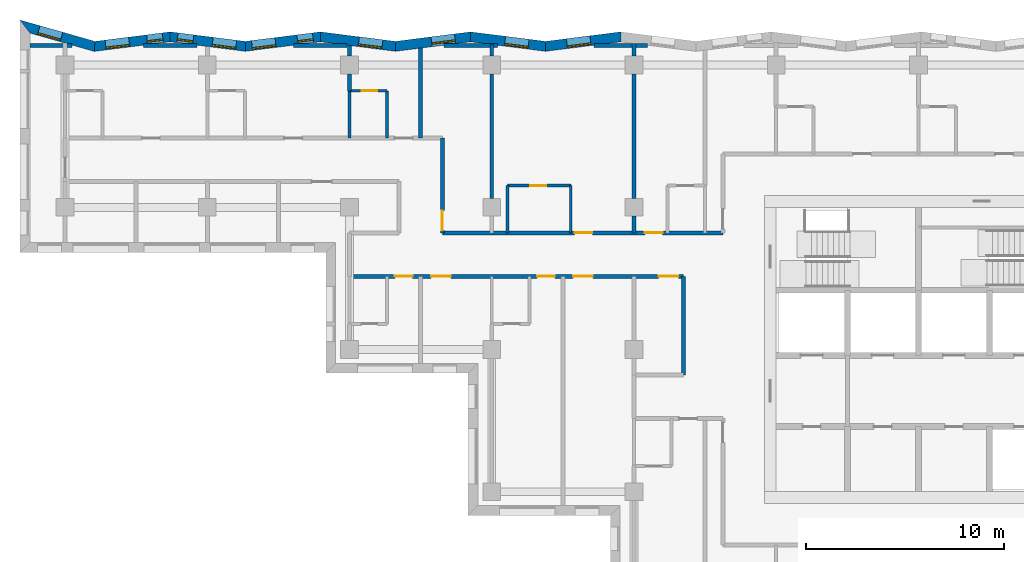
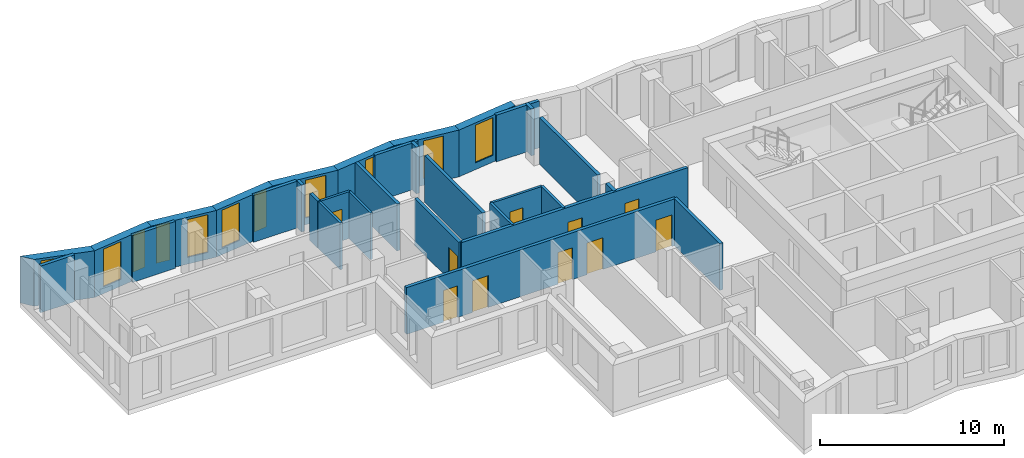
# One storey, part 5 of 12: 31 walls, 11 windows, 10 doors, 21 openings.
"""IFC4 building model written with IfcOpenShell, lengths in metres."""

import ifcopenshell
import ifcopenshell.guid

model = None  # the IFC model being written
_history = None  # IfcOwnerHistory: only IFC2X3 demands one
_inside = {}  # id of a spatial element -> (the spatial element, [elements in it])
_under = {}  # id of a project, library or spatial element -> (it, [spatial elements below it])
_declared = {}  # id of a project -> (the project, [libraries it declares])
_typed = {}  # id of a type object -> (the type object, [elements of that type])
_made_of = {}  # id of a material, layer set ... -> (it, [elements and type objects made of it])


def new_model(schema):
    """Start an empty IFC model of exactly this schema.

    Asked for "IFC4X3", IfcOpenShell would pick the latest addendum, in which some entities
    have other attributes; the version numbers below select the first issue.
    IFC2X3 requires an IfcOwnerHistory on every rooted entity: one is made here for all.
    """
    global model, _history
    if schema == "IFC4X3":
        model = ifcopenshell.file(schema_version=(4, 3, 0, 0))
    else:
        model = ifcopenshell.file(schema=schema)
    _inside.clear()
    _under.clear()
    _declared.clear()
    _typed.clear()
    _made_of.clear()
    _history = None
    if model.schema == "IFC2X3":
        org = make("IfcOrganization", Name="unknown")
        user = make(
            "IfcPersonAndOrganization",
            ThePerson=make("IfcPerson", FamilyName="unknown"),
            TheOrganization=org,
        )
        app = make(
            "IfcApplication",
            ApplicationDeveloper=org,
            Version="unknown",
            ApplicationFullName="unknown",
            ApplicationIdentifier="unknown",
        )
        _history = make(
            "IfcOwnerHistory",
            OwningUser=user,
            OwningApplication=app,
            ChangeAction="ADDED",
            CreationDate=0,
        )
    return model


def make(cls, **values):
    """One entity of the class cls with the attributes given. An attribute that is None is left unset."""
    return model.create_entity(
        cls, **{name: value for name, value in values.items() if value is not None}
    )


def rooted(cls, **values):
    """An entity with a GlobalId (a new one), such as an element, a storey or a relation."""
    return make(cls, GlobalId=ifcopenshell.guid.new(), OwnerHistory=_history, **values)


def si_unit(unit_type, name, prefix=None):
    """IfcSIUnit, for example si_unit("LENGTHUNIT", "METRE", prefix="MILLI")."""
    return make("IfcSIUnit", UnitType=unit_type, Prefix=prefix, Name=name)


def assignment(units):
    """IfcUnitAssignment: the units of a project."""
    return None if units is None else make("IfcUnitAssignment", Units=units)


def point(xyz):
    """IfcCartesianPoint."""
    return None if xyz is None else make("IfcCartesianPoint", Coordinates=xyz)


def direction(xyz):
    """IfcDirection."""
    return None if xyz is None else make("IfcDirection", DirectionRatios=xyz)


def frame(location, z_axis=None, x_axis=None):
    """IfcAxis2Placement3D, a coordinate frame: its origin and axes. An axis left out is left unset."""
    return make(
        "IfcAxis2Placement3D",
        Location=point(location),
        Axis=direction(z_axis),
        RefDirection=direction(x_axis),
    )


def frame_2d(location, x_axis=None):
    """IfcAxis2Placement2D, a coordinate frame in the plane: its origin and x axis."""
    return make(
        "IfcAxis2Placement2D", Location=point(location), RefDirection=direction(x_axis)
    )


def origin():
    """The frame at (0, 0, 0) with its axes left unset."""
    return frame((0.0, 0.0, 0.0))


def place(relative_to, where):
    """IfcLocalPlacement: puts the frame where relative to a parent placement (None: the world)."""
    return make(
        "IfcLocalPlacement", PlacementRelTo=relative_to, RelativePlacement=where
    )


def context(
    kind, dimensions, precision=None, world=None, true_north=None, identifier=None
):
    """IfcGeometricRepresentationContext, for example the 3D "Model" context."""
    return make(
        "IfcGeometricRepresentationContext",
        ContextIdentifier=identifier,
        ContextType=kind,
        CoordinateSpaceDimension=dimensions,
        Precision=precision,
        WorldCoordinateSystem=world,
        TrueNorth=true_north,
    )


def subcontext(parent, identifier, kind, view, scale=None):
    """IfcGeometricRepresentationSubContext, for example "Body" below "Model"."""
    return make(
        "IfcGeometricRepresentationSubContext",
        ContextIdentifier=identifier,
        ContextType=kind,
        ParentContext=parent,
        TargetScale=scale,
        TargetView=view,
    )


def project(units=None, contexts=None):
    """IfcProject with its units and contexts."""
    return rooted(
        "IfcProject",
        Name="project",
        RepresentationContexts=contexts,
        UnitsInContext=assignment(units),
    )


def spatial(cls, under=None, at=None, **own):
    """A site, building, storey or space (cls), placed at a placement, below another one or the project."""
    s = rooted(cls, ObjectPlacement=at, **own)
    if under is not None:
        _under.setdefault(under.id(), (under, []))[1].append(s)
    return s


def polyline(points):
    """IfcPolyline through the points."""
    return make("IfcPolyline", Points=[point(p) for p in points])


def profile(cls, at=None, kind="AREA", **sizes):
    """A parametric profile (cls). Its sizes go by their IFC names, for example OverallWidth=200.0."""
    return make(cls, ProfileType=kind, Position=at, **sizes)


def rectangle(**sizes):
    """IfcRectangleProfileDef."""
    return profile("IfcRectangleProfileDef", **sizes)


def outline(outer, holes=None, kind="AREA"):
    """IfcArbitraryClosedProfileDef: a profile drawn as a closed curve; with holes, ...WithVoids."""
    if holes is None:
        return make("IfcArbitraryClosedProfileDef", ProfileType=kind, OuterCurve=outer)
    return make(
        "IfcArbitraryProfileDefWithVoids",
        ProfileType=kind,
        OuterCurve=outer,
        InnerCurves=holes,
    )


def extrude(swept, where, along, depth):
    """IfcExtrudedAreaSolid: the profile swept, set in the frame where, extruded along a direction by depth."""
    return make(
        "IfcExtrudedAreaSolid",
        SweptArea=swept,
        Position=where,
        ExtrudedDirection=direction(along),
        Depth=depth,
    )


def shape(context_of_items, identifier, shape_type, items):
    """IfcShapeRepresentation: the items that make up one representation, for example the "Body"."""
    return make(
        "IfcShapeRepresentation",
        ContextOfItems=context_of_items,
        RepresentationIdentifier=identifier,
        RepresentationType=shape_type,
        Items=items,
    )


def material(Name=None, Category=None):
    """IfcMaterial."""
    return make("IfcMaterial", Name=Name, Category=Category)


def layer(
    of_material, thickness, ventilated=None, Name=None, Category=None, Priority=None
):
    """IfcMaterialLayer: one layer of a wall or slab, of a material (None: an air gap)."""
    return make(
        "IfcMaterialLayer",
        Material=of_material,
        LayerThickness=thickness,
        IsVentilated=ventilated,
        Name=Name,
        Category=Category,
        Priority=Priority,
    )


def layer_set(layers, Name=None):
    """IfcMaterialLayerSet."""
    return make("IfcMaterialLayerSet", MaterialLayers=layers, LayerSetName=Name)


def made_of(thing, what):
    """Note that an element or type object is made of a material, layer set ...; save() writes the relation."""
    if what is not None:
        _made_of.setdefault(what.id(), (what, []))[1].append(thing)
    return thing


def type_object(cls, material=None, **own):
    """A type object (cls), such as IfcWallType, which elements share."""
    return made_of(rooted(cls, **own), material)


def element(
    cls,
    number,
    at=None,
    inside=None,
    cuts=None,
    type_object=None,
    material=None,
    context=None,
    identifier="Body",
    shape_type=None,
    held_by="IfcProductDefinitionShape",
    body=None,
    shapes=None,
    **own,
):
    """One element of the class cls, such as IfcWall. Its Tag is "e" and its number.

    at: its placement. inside: the storey or other place that contains it. cuts: it is an
    opening in that element (IfcRelVoidsElement). A single representation is given by context,
    identifier, shape_type and body (its items); several are given by shapes. held_by: the class
    of the entity that holds the representations. save() writes the other relations.
    """
    e = rooted(cls, Tag="e%d" % number, ObjectPlacement=at, **own)
    if body is not None:
        shapes = [shape(context, identifier, shape_type, body)]
    if shapes is not None:
        e.Representation = make(held_by, Representations=shapes)
    if inside is not None:
        _inside.setdefault(inside.id(), (inside, []))[1].append(e)
    if cuts is not None:
        rooted(
            "IfcRelVoidsElement", RelatingBuildingElement=cuts, RelatedOpeningElement=e
        )
    if type_object is not None:
        _typed.setdefault(type_object.id(), (type_object, []))[1].append(e)
    return made_of(e, material)


def fill(opening, filler):
    """IfcRelFillsElement: the door or window that sits in an opening."""
    return rooted(
        "IfcRelFillsElement",
        RelatingOpeningElement=opening,
        RelatedBuildingElement=filler,
    )


def aggregate(whole, parts):
    """IfcRelAggregates: a whole, such as a stair, and the parts it consists of."""
    return rooted("IfcRelAggregates", RelatingObject=whole, RelatedObjects=parts)


def save(model, path):
    """Write the relations noted so far, then the file.

    IfcRelAggregates (storeys below a building ...), IfcRelContainedInSpatialStructure (elements
    in a storey), IfcRelDefinesByType, IfcRelAssociatesMaterial and IfcRelDeclares: one each for
    every whole, place, type object, material and project.
    """
    for whole, parts in _under.values():
        aggregate(whole, parts)
    for where, things in _inside.values():
        rooted(
            "IfcRelContainedInSpatialStructure",
            RelatedElements=things,
            RelatingStructure=where,
        )
    for kind, things in _typed.values():
        rooted("IfcRelDefinesByType", RelatedObjects=things, RelatingType=kind)
    for what, things in _made_of.values():
        rooted("IfcRelAssociatesMaterial", RelatedObjects=things, RelatingMaterial=what)
    for by, libraries in _declared.values():
        rooted("IfcRelDeclares", RelatingContext=by, RelatedDefinitions=libraries)
    model.write(path)


model = new_model("IFC4")

# Units and contexts
model_context = context("Model", 3, precision=1e-05, world=origin(), true_north=direction((0.0, 1.0)))
body_context = subcontext(model_context, "Body", "Model", "MODEL_VIEW")
ifc_project = project(units=[si_unit("LENGTHUNIT", "METRE"), si_unit("AREAUNIT", "SQUARE_METRE"), si_unit("VOLUMEUNIT", "CUBIC_METRE"), si_unit("PLANEANGLEUNIT", "RADIAN"), si_unit("MASSUNIT", "GRAM", prefix="KILO")], contexts=[model_context])

# Site, building, storey
site_placement = place(None, origin())
site = spatial("IfcSite", under=ifc_project, at=site_placement, CompositionType="ELEMENT")
building_placement = place(site_placement, origin())
building = spatial("IfcBuilding", under=site, at=building_placement, Name="Windrow Commons", CompositionType="ELEMENT")
storey_placement = place(building_placement, frame((0.0, 0.0, 155.8)))
storey = spatial("IfcBuildingStorey", under=building, at=storey_placement, Name="L42", CompositionType="ELEMENT", Elevation=155.8)

# Wall, opening, window
ifc_material_1 = material(Name="Brick masonry, red clay brick", Category="masonry")
ifc_layer_1 = layer(ifc_material_1, 0.5)
ifc_layer_set_1 = layer_set([ifc_layer_1], Name="Brick facade wall 500")
wall_type_1 = type_object("IfcWallType", Name="Brick facade wall 500", PredefinedType="SOLIDWALL", material=ifc_layer_set_1)
wall_1_placement = place(storey_placement, frame((49.7316, 73.43, 0.0), z_axis=(0.0, 0.0, 1.0), x_axis=(-0.9920583495, -0.1257785003, 0.0)))
wall_1 = element("IfcWall", 1, at=wall_1_placement, inside=storey, type_object=wall_type_1, Name="Brick facade wall L42 27", PredefinedType="SOLIDWALL", context=body_context, shape_type="SweptSolid", body=[
    extrude(outline(polyline([(-0.0317, -0.25), (3.8004, -0.25), (3.8638, 0.25), (0.0317, 0.25), (-0.0317, -0.25)])), origin(), (0.0, 0.0, 1.0), 3.1),
])
opening_1_placement = place(wall_1_placement, frame((1.5434, 0.0, 0.45)))
opening_1 = element("IfcOpeningElement", 2, at=opening_1_placement, cuts=wall_1, Name="Opening W7E", PredefinedType="OPENING", context=body_context, shape_type="SweptSolid", body=[
    extrude(rectangle(XDim=1.2, YDim=2.5, at=frame_2d((0.6, 1.25))), frame((0.0, 0.26, 0.0), z_axis=(0.0, -1.0, 0.0), x_axis=(1.0, 0.0, 0.0)), (0.0, 0.0, 1.0), 0.52),
])
ifc_material_2 = material(Name="Clear float glass in anodised aluminium frame", Category="aluminium")
window_type_1 = type_object("IfcWindowType", Name="Window W7 notch 1200x2500", PartitioningType="SINGLE_PANEL", PredefinedType="WINDOW", material=ifc_material_2)
window_1_placement = place(opening_1_placement, origin())
window_1 = element("IfcWindow", 3, at=window_1_placement, inside=storey, type_object=window_type_1, Name="Window L42 27.1", OverallHeight=2.5, OverallWidth=1.2, PartitioningType="SINGLE_PANEL", PredefinedType="WINDOW", context=body_context, shape_type="SweptSolid", body=[
    extrude(rectangle(XDim=1.2, YDim=2.5, at=frame_2d((0.6, 1.25))), frame((0.0, 0.18, 0.0), z_axis=(0.0, -1.0, 0.0), x_axis=(1.0, 0.0, 0.0)), (0.0, 0.0, 1.0), 0.06),
])
fill(opening_1, window_1)

wall_2_placement = place(storey_placement, frame((45.9299, 72.948, 0.0), z_axis=(0.0, 0.0, 1.0), x_axis=(-0.9920583495, 0.1257785003, 0.0)))
wall_2 = element("IfcWall", 4, at=wall_2_placement, inside=storey, type_object=wall_type_1, Name="Brick facade wall L42 28", PredefinedType="SOLIDWALL", context=body_context, shape_type="SweptSolid", body=[
    extrude(outline(polyline([(0.0317, -0.25), (3.8638, -0.25), (3.8004, 0.25), (-0.0317, 0.25), (0.0317, -0.25)])), origin(), (0.0, 0.0, 1.0), 3.1),
])
opening_2_placement = place(wall_2_placement, frame((0.8759, 0.0, 0.45)))
opening_2 = element("IfcOpeningElement", 5, at=opening_2_placement, cuts=wall_2, Name="Opening W7E", PredefinedType="OPENING", context=body_context, shape_type="SweptSolid", body=[
    extrude(rectangle(XDim=1.2, YDim=2.5, at=frame_2d((0.6, 1.25))), frame((0.0, 0.26, 0.0), z_axis=(0.0, -1.0, 0.0), x_axis=(1.0, 0.0, 0.0)), (0.0, 0.0, 1.0), 0.52),
])
window_2_placement = place(opening_2_placement, origin())
window_2 = element("IfcWindow", 6, at=window_2_placement, inside=storey, type_object=window_type_1, Name="Window L42 28.1", OverallHeight=2.5, OverallWidth=1.2, PartitioningType="SINGLE_PANEL", PredefinedType="WINDOW", context=body_context, shape_type="SweptSolid", body=[
    extrude(rectangle(XDim=1.2, YDim=2.5, at=frame_2d((0.6, 1.25))), frame((0.0, 0.18, 0.0), z_axis=(0.0, -1.0, 0.0), x_axis=(1.0, 0.0, 0.0)), (0.0, 0.0, 1.0), 0.06),
])
fill(opening_2, window_2)

wall_3_placement = place(storey_placement, frame((42.1282, 73.43, 0.0), z_axis=(0.0, 0.0, 1.0), x_axis=(-0.9920583495, -0.1257785003, 0.0)))
wall_3 = element("IfcWall", 7, at=wall_3_placement, inside=storey, type_object=wall_type_1, Name="Brick facade wall L42 29", PredefinedType="SOLIDWALL", context=body_context, shape_type="SweptSolid", body=[
    extrude(outline(polyline([(-0.0317, -0.25), (3.8004, -0.25), (3.8638, 0.25), (0.0317, 0.25), (-0.0317, -0.25)])), origin(), (0.0, 0.0, 1.0), 3.1),
])
opening_3_placement = place(wall_3_placement, frame((0.7901, 0.0, 0.45)))
opening_3 = element("IfcOpeningElement", 8, at=opening_3_placement, cuts=wall_3, Name="Opening W7E", PredefinedType="OPENING", context=body_context, shape_type="SweptSolid", body=[
    extrude(rectangle(XDim=1.2, YDim=2.5, at=frame_2d((0.6, 1.25))), frame((0.0, 0.26, 0.0), z_axis=(0.0, -1.0, 0.0), x_axis=(1.0, 0.0, 0.0)), (0.0, 0.0, 1.0), 0.52),
])
window_3_placement = place(opening_3_placement, origin())
window_3 = element("IfcWindow", 9, at=window_3_placement, inside=storey, type_object=window_type_1, Name="Window L42 29.1", OverallHeight=2.5, OverallWidth=1.2, PartitioningType="SINGLE_PANEL", PredefinedType="WINDOW", context=body_context, shape_type="SweptSolid", body=[
    extrude(rectangle(XDim=1.2, YDim=2.5, at=frame_2d((0.6, 1.25))), frame((0.0, 0.12, 0.0), z_axis=(0.0, -1.0, 0.0), x_axis=(1.0, 0.0, 0.0)), (0.0, 0.0, 1.0), 0.06),
])
fill(opening_3, window_3)

wall_4_placement = place(storey_placement, frame((38.3265, 72.948, 0.0), z_axis=(0.0, 0.0, 1.0), x_axis=(-0.9920583495, 0.1257785003, 0.0)))
wall_4 = element("IfcWall", 10, at=wall_4_placement, inside=storey, type_object=wall_type_1, Name="Brick facade wall L42 30", PredefinedType="SOLIDWALL", context=body_context, shape_type="SweptSolid", body=[
    extrude(outline(polyline([(0.0317, -0.25), (3.8638, -0.25), (3.8004, 0.25), (-0.0317, 0.25), (0.0317, -0.25)])), origin(), (0.0, 0.0, 1.0), 3.1),
])
opening_4_placement = place(wall_4_placement, frame((0.6726, 0.0, 0.45)))
opening_4 = element("IfcOpeningElement", 11, at=opening_4_placement, cuts=wall_4, Name="Opening W7E", PredefinedType="OPENING", context=body_context, shape_type="SweptSolid", body=[
    extrude(rectangle(XDim=1.2, YDim=2.5, at=frame_2d((0.6, 1.25))), frame((0.0, 0.26, 0.0), z_axis=(0.0, -1.0, 0.0), x_axis=(1.0, 0.0, 0.0)), (0.0, 0.0, 1.0), 0.52),
])
window_4_placement = place(opening_4_placement, origin())
window_4 = element("IfcWindow", 12, at=window_4_placement, inside=storey, type_object=window_type_1, Name="Window L42 30.1", OverallHeight=2.5, OverallWidth=1.2, PartitioningType="SINGLE_PANEL", PredefinedType="WINDOW", context=body_context, shape_type="SweptSolid", body=[
    extrude(rectangle(XDim=1.2, YDim=2.5, at=frame_2d((0.6, 1.25))), frame((0.0, 0.18, 0.0), z_axis=(0.0, -1.0, 0.0), x_axis=(1.0, 0.0, 0.0)), (0.0, 0.0, 1.0), 0.06),
])
fill(opening_4, window_4)

# Wall, openings, windows
wall_5_placement = place(storey_placement, frame((34.5248, 73.43, 0.0), z_axis=(0.0, 0.0, 1.0), x_axis=(-0.9920583495, -0.1257785003, 0.0)))
wall_5 = element("IfcWall", 13, at=wall_5_placement, inside=storey, type_object=wall_type_1, Name="Brick facade wall L42 31", PredefinedType="SOLIDWALL", context=body_context, shape_type="SweptSolid", body=[
    extrude(outline(polyline([(-0.0317, -0.25), (3.8004, -0.25), (3.8638, 0.25), (0.0317, 0.25), (-0.0317, -0.25)])), origin(), (0.0, 0.0, 1.0), 3.1),
])
opening_5_placement = place(wall_5_placement, frame((2.287, 0.0, 0.45)))
opening_5 = element("IfcOpeningElement", 14, at=opening_5_placement, cuts=wall_5, Name="Opening W7E", PredefinedType="OPENING", context=body_context, shape_type="SweptSolid", body=[
    extrude(rectangle(XDim=1.2, YDim=2.5, at=frame_2d((0.6, 1.25))), frame((0.0, 0.26, 0.0), z_axis=(0.0, -1.0, 0.0), x_axis=(1.0, 0.0, 0.0)), (0.0, 0.0, 1.0), 0.52),
])
opening_6_placement = place(wall_5_placement, frame((0.3735, 0.0, 0.45)))
opening_6 = element("IfcOpeningElement", 15, at=opening_6_placement, cuts=wall_5, Name="Opening W1N", PredefinedType="OPENING", context=body_context, shape_type="SweptSolid", body=[
    extrude(rectangle(XDim=0.8, YDim=2.5, at=frame_2d((0.4, 1.25))), frame((0.0, 0.26, 0.0), z_axis=(0.0, -1.0, 0.0), x_axis=(1.0, 0.0, 0.0)), (0.0, 0.0, 1.0), 0.52),
])
ifc_material_3 = material(Name="Clear float glass in anodised aluminium frame", Category="aluminium")
window_type_2 = type_object("IfcWindowType", Name="Window W1N slit 800x2500", PartitioningType="SINGLE_PANEL", PredefinedType="WINDOW", material=ifc_material_3)
window_5_placement = place(opening_6_placement, origin())
window_5 = element("IfcWindow", 16, at=window_5_placement, inside=storey, type_object=window_type_2, Name="Window L42 31.1A", OverallHeight=2.5, OverallWidth=0.8, PartitioningType="SINGLE_PANEL", PredefinedType="WINDOW", context=body_context, shape_type="SweptSolid", body=[
    extrude(rectangle(XDim=0.8, YDim=2.5, at=frame_2d((0.4, 1.25))), frame((0.0, 0.12, 0.0), z_axis=(0.0, -1.0, 0.0), x_axis=(1.0, 0.0, 0.0)), (0.0, 0.0, 1.0), 0.06),
])
fill(opening_6, window_5)
window_6_placement = place(opening_5_placement, origin())
window_6 = element("IfcWindow", 17, at=window_6_placement, inside=storey, type_object=window_type_1, Name="Window L42 31.2", OverallHeight=2.5, OverallWidth=1.2, PartitioningType="SINGLE_PANEL", PredefinedType="WINDOW", context=body_context, shape_type="SweptSolid", body=[
    extrude(rectangle(XDim=1.2, YDim=2.5, at=frame_2d((0.6, 1.25))), frame((0.0, 0.18, 0.0), z_axis=(0.0, -1.0, 0.0), x_axis=(1.0, 0.0, 0.0)), (0.0, 0.0, 1.0), 0.06),
])
fill(opening_5, window_6)

wall_6_placement = place(storey_placement, frame((30.7231, 72.948, 0.0), z_axis=(0.0, 0.0, 1.0), x_axis=(-0.9920583495, 0.1257785003, 0.0)))
wall_6 = element("IfcWall", 18, at=wall_6_placement, inside=storey, type_object=wall_type_1, Name="Brick facade wall L42 32", PredefinedType="SOLIDWALL", context=body_context, shape_type="SweptSolid", body=[
    extrude(outline(polyline([(0.0317, -0.25), (3.8638, -0.25), (3.8004, 0.25), (-0.0317, 0.25), (0.0317, -0.25)])), origin(), (0.0, 0.0, 1.0), 3.1),
])
opening_7_placement = place(wall_6_placement, frame((0.4693, 0.0, 0.45)))
opening_7 = element("IfcOpeningElement", 19, at=opening_7_placement, cuts=wall_6, Name="Opening W7E", PredefinedType="OPENING", context=body_context, shape_type="SweptSolid", body=[
    extrude(rectangle(XDim=1.2, YDim=2.5, at=frame_2d((0.6, 1.25))), frame((0.0, 0.26, 0.0), z_axis=(0.0, -1.0, 0.0), x_axis=(1.0, 0.0, 0.0)), (0.0, 0.0, 1.0), 0.52),
])
opening_8_placement = place(wall_6_placement, frame((2.6586, 0.0, 0.45)))
opening_8 = element("IfcOpeningElement", 20, at=opening_8_placement, cuts=wall_6, Name="Opening W1N", PredefinedType="OPENING", context=body_context, shape_type="SweptSolid", body=[
    extrude(rectangle(XDim=0.8, YDim=2.5, at=frame_2d((0.4, 1.25))), frame((0.0, 0.26, 0.0), z_axis=(0.0, -1.0, 0.0), x_axis=(1.0, 0.0, 0.0)), (0.0, 0.0, 1.0), 0.52),
])
window_7_placement = place(opening_8_placement, origin())
window_7 = element("IfcWindow", 21, at=window_7_placement, inside=storey, type_object=window_type_2, Name="Window L42 32.2A", OverallHeight=2.5, OverallWidth=0.8, PartitioningType="SINGLE_PANEL", PredefinedType="WINDOW", context=body_context, shape_type="SweptSolid", body=[
    extrude(rectangle(XDim=0.8, YDim=2.5, at=frame_2d((0.4, 1.25))), frame((0.0, 0.12, 0.0), z_axis=(0.0, -1.0, 0.0), x_axis=(1.0, 0.0, 0.0)), (0.0, 0.0, 1.0), 0.06),
])
fill(opening_8, window_7)
window_8_placement = place(opening_7_placement, origin())
window_8 = element("IfcWindow", 22, at=window_8_placement, inside=storey, type_object=window_type_1, Name="Window L42 32.1", OverallHeight=2.5, OverallWidth=1.2, PartitioningType="SINGLE_PANEL", PredefinedType="WINDOW", context=body_context, shape_type="SweptSolid", body=[
    extrude(rectangle(XDim=1.2, YDim=2.5, at=frame_2d((0.6, 1.25))), frame((0.0, 0.18, 0.0), z_axis=(0.0, -1.0, 0.0), x_axis=(1.0, 0.0, 0.0)), (0.0, 0.0, 1.0), 0.06),
])
fill(opening_7, window_8)

wall_7_placement = place(storey_placement, frame((26.9214, 73.43, 0.0), z_axis=(0.0, 0.0, 1.0), x_axis=(-0.9920598708, -0.1257665013, 0.0)))
wall_7 = element("IfcWall", 23, at=wall_7_placement, inside=storey, type_object=wall_type_1, Name="Brick facade wall L42 33", PredefinedType="SOLIDWALL", context=body_context, shape_type="SweptSolid", body=[
    extrude(outline(polyline([(-0.0317, -0.25), (3.8004, -0.25), (3.9027, 0.25), (0.0317, 0.25), (-0.0317, -0.25)])), origin(), (0.0, 0.0, 1.0), 3.1),
])
opening_9_placement = place(wall_7_placement, frame((2.0934, 0.0, 0.45)))
opening_9 = element("IfcOpeningElement", 24, at=opening_9_placement, cuts=wall_7, Name="Opening W7E", PredefinedType="OPENING", context=body_context, shape_type="SweptSolid", body=[
    extrude(rectangle(XDim=1.2, YDim=2.5, at=frame_2d((0.6, 1.25))), frame((0.0, 0.26, 0.0), z_axis=(0.0, -1.0, 0.0), x_axis=(1.0, 0.0, 0.0)), (0.0, 0.0, 1.0), 0.52),
])
opening_10_placement = place(wall_7_placement, frame((0.3735, 0.0, 0.45)))
opening_10 = element("IfcOpeningElement", 25, at=opening_10_placement, cuts=wall_7, Name="Opening W1N", PredefinedType="OPENING", context=body_context, shape_type="SweptSolid", body=[
    extrude(rectangle(XDim=0.8, YDim=2.5, at=frame_2d((0.4, 1.25))), frame((0.0, 0.26, 0.0), z_axis=(0.0, -1.0, 0.0), x_axis=(1.0, 0.0, 0.0)), (0.0, 0.0, 1.0), 0.52),
])
window_9_placement = place(opening_10_placement, origin())
window_9 = element("IfcWindow", 26, at=window_9_placement, inside=storey, type_object=window_type_2, Name="Window L42 33.1A", OverallHeight=2.5, OverallWidth=0.8, PartitioningType="SINGLE_PANEL", PredefinedType="WINDOW", context=body_context, shape_type="SweptSolid", body=[
    extrude(rectangle(XDim=0.8, YDim=2.5, at=frame_2d((0.4, 1.25))), frame((0.0, 0.12, 0.0), z_axis=(0.0, -1.0, 0.0), x_axis=(1.0, 0.0, 0.0)), (0.0, 0.0, 1.0), 0.06),
])
fill(opening_10, window_9)
window_10_placement = place(opening_9_placement, origin())
window_10 = element("IfcWindow", 27, at=window_10_placement, inside=storey, type_object=window_type_1, Name="Window L42 33.2", OverallHeight=2.5, OverallWidth=1.2, PartitioningType="SINGLE_PANEL", PredefinedType="WINDOW", context=body_context, shape_type="SweptSolid", body=[
    extrude(rectangle(XDim=1.2, YDim=2.5, at=frame_2d((0.6, 1.25))), frame((0.0, 0.18, 0.0), z_axis=(0.0, -1.0, 0.0), x_axis=(1.0, 0.0, 0.0)), (0.0, 0.0, 1.0), 0.06),
])
fill(opening_9, window_10)

# Wall, opening, window
wall_8_placement = place(storey_placement, frame((23.1004, 72.9456, 0.0), z_axis=(0.0, 0.0, 1.0), x_axis=(-0.9618080431, 0.2737248403, 0.0)))
wall_8 = element("IfcWall", 28, at=wall_8_placement, inside=storey, type_object=wall_type_1, Name="Brick facade wall L42 34", PredefinedType="SOLIDWALL", context=body_context, shape_type="SweptSolid", body=[
    extrude(outline(polyline([(0.0511, -0.25), (4.0038, -0.25), (3.3416, 0.25), (-0.0511, 0.25), (0.0511, -0.25)])), origin(), (0.0, 0.0, 1.0), 3.1),
])
opening_11_placement = place(wall_8_placement, frame((1.7508, 0.0, 0.45)))
opening_11 = element("IfcOpeningElement", 29, at=opening_11_placement, cuts=wall_8, Name="Opening W7E", PredefinedType="OPENING", context=body_context, shape_type="SweptSolid", body=[
    extrude(rectangle(XDim=1.2, YDim=2.5, at=frame_2d((0.6, 1.25))), frame((0.0, 0.26, 0.0), z_axis=(0.0, -1.0, 0.0), x_axis=(1.0, 0.0, 0.0)), (0.0, 0.0, 1.0), 0.52),
])
window_11_placement = place(opening_11_placement, origin())
window_11 = element("IfcWindow", 30, at=window_11_placement, inside=storey, type_object=window_type_1, Name="Window L42 34.1", OverallHeight=2.5, OverallWidth=1.2, PartitioningType="SINGLE_PANEL", PredefinedType="WINDOW", context=body_context, shape_type="SweptSolid", body=[
    extrude(rectangle(XDim=1.2, YDim=2.5, at=frame_2d((0.6, 1.25))), frame((0.0, 0.18, 0.0), z_axis=(0.0, -1.0, 0.0), x_axis=(1.0, 0.0, 0.0)), (0.0, 0.0, 1.0), 0.06),
])
fill(opening_11, window_11)

# Wall, openings, doors
ifc_material_4 = material(Name="Blockwork partition", Category="masonry")
ifc_layer_2 = layer(ifc_material_4, 0.2)
ifc_layer_set_2 = layer_set([ifc_layer_2], Name="IW-CORRIDOR-200")
wall_type_2 = type_object("IfcWallType", Name="IW-CORRIDOR-200", PredefinedType="PARTITIONING", material=ifc_layer_set_2)
wall_9_placement = place(storey_placement, frame((36.0, 61.3, 0.0), z_axis=(0.0, 0.0, 1.0), x_axis=(1.0, 0.0, 0.0)))
wall_9 = element("IfcWall", 31, at=wall_9_placement, inside=storey, type_object=wall_type_2, Name="W-L42-W004", PredefinedType="PARTITIONING", context=body_context, shape_type="SweptSolid", body=[
    extrude(rectangle(XDim=16.9, YDim=0.2, at=frame_2d((8.45, 0.0))), origin(), (0.0, 0.0, 1.0), 3.1),
])
opening_12_placement = place(wall_9_placement, frame((2.3, 0.0, 0.0)))
opening_12 = element("IfcOpeningElement", 32, at=opening_12_placement, cuts=wall_9, Name="Opening D109S", PredefinedType="OPENING", context=body_context, shape_type="SweptSolid", body=[
    extrude(rectangle(XDim=0.9, YDim=2.1, at=frame_2d((0.45, 1.05))), frame((0.0, 0.11, 0.0), z_axis=(0.0, -1.0, 0.0), x_axis=(1.0, 0.0, 0.0)), (0.0, 0.0, 1.0), 0.22),
])
opening_13_placement = place(wall_9_placement, frame((4.125, 0.0, 0.0)))
opening_13 = element("IfcOpeningElement", 33, at=opening_13_placement, cuts=wall_9, Name="Opening D310F", PredefinedType="OPENING", context=body_context, shape_type="SweptSolid", body=[
    extrude(rectangle(XDim=1.0, YDim=2.1, at=frame_2d((0.5, 1.05))), frame((0.0, 0.11, 0.0), z_axis=(0.0, -1.0, 0.0), x_axis=(1.0, 0.0, 0.0)), (0.0, 0.0, 1.0), 0.22),
])
opening_14_placement = place(wall_9_placement, frame((9.5, 0.0, 0.0)))
opening_14 = element("IfcOpeningElement", 34, at=opening_14_placement, cuts=wall_9, Name="Opening D109S", PredefinedType="OPENING", context=body_context, shape_type="SweptSolid", body=[
    extrude(rectangle(XDim=0.9, YDim=2.1, at=frame_2d((0.45, 1.05))), frame((0.0, 0.11, 0.0), z_axis=(0.0, -1.0, 0.0), x_axis=(1.0, 0.0, 0.0)), (0.0, 0.0, 1.0), 0.22),
])
opening_15_placement = place(wall_9_placement, frame((11.325, 0.0, 0.0)))
opening_15 = element("IfcOpeningElement", 35, at=opening_15_placement, cuts=wall_9, Name="Opening D310F", PredefinedType="OPENING", context=body_context, shape_type="SweptSolid", body=[
    extrude(rectangle(XDim=1.0, YDim=2.1, at=frame_2d((0.5, 1.05))), frame((0.0, 0.11, 0.0), z_axis=(0.0, -1.0, 0.0), x_axis=(1.0, 0.0, 0.0)), (0.0, 0.0, 1.0), 0.22),
])
opening_16_placement = place(wall_9_placement, frame((15.6471, 0.0, 0.0)))
opening_16 = element("IfcOpeningElement", 36, at=opening_16_placement, cuts=wall_9, Name="Opening D410F", PredefinedType="OPENING", context=body_context, shape_type="SweptSolid", body=[
    extrude(rectangle(XDim=1.0, YDim=2.1, at=frame_2d((0.5, 1.05))), frame((0.0, 0.11, 0.0), z_axis=(0.0, -1.0, 0.0), x_axis=(1.0, 0.0, 0.0)), (0.0, 0.0, 1.0), 0.22),
])
ifc_material_5 = material(Name="Timber door leaf", Category="wood")
door_type_1 = type_object("IfcDoorType", Name="DT-AMENITY-1000", OperationType="SINGLE_SWING_LEFT", PredefinedType="DOOR", material=ifc_material_5)
door_1_placement = place(opening_13_placement, origin())
door_1 = element("IfcDoor", 37, at=door_1_placement, inside=storey, type_object=door_type_1, Name="D-L42-D013", OperationType="SINGLE_SWING_RIGHT", OverallHeight=2.1, OverallWidth=1.0, PredefinedType="DOOR", context=body_context, shape_type="SweptSolid", body=[
    extrude(rectangle(XDim=1.0, YDim=2.1, at=frame_2d((0.5, 1.05))), frame((0.0, 0.025, 0.0), z_axis=(0.0, -1.0, 0.0), x_axis=(1.0, 0.0, 0.0)), (0.0, 0.0, 1.0), 0.05),
])
fill(opening_13, door_1)
door_2_placement = place(opening_15_placement, origin())
door_2 = element("IfcDoor", 38, at=door_2_placement, inside=storey, type_object=door_type_1, Name="D-L42-D025", OperationType="SINGLE_SWING_RIGHT", OverallHeight=2.1, OverallWidth=1.0, PredefinedType="DOOR", context=body_context, shape_type="SweptSolid", body=[
    extrude(rectangle(XDim=1.0, YDim=2.1, at=frame_2d((0.5, 1.05))), frame((0.0, 0.025, 0.0), z_axis=(0.0, -1.0, 0.0), x_axis=(1.0, 0.0, 0.0)), (0.0, 0.0, 1.0), 0.05),
])
fill(opening_15, door_2)
ifc_material_6 = material(Name="Timber door leaf", Category="wood")
door_type_2 = type_object("IfcDoorType", Name="DT-BEDROOM-900", OperationType="SINGLE_SWING_LEFT", PredefinedType="DOOR", material=ifc_material_6)
door_3_placement = place(opening_12_placement, origin())
door_3 = element("IfcDoor", 39, at=door_3_placement, inside=storey, type_object=door_type_2, Name="D-L42-D011", OperationType="SINGLE_SWING_LEFT", OverallHeight=2.1, OverallWidth=0.9, PredefinedType="DOOR", context=body_context, shape_type="SweptSolid", body=[
    extrude(rectangle(XDim=0.9, YDim=2.1, at=frame_2d((0.45, 1.05))), frame((0.0, 0.025, 0.0), z_axis=(0.0, -1.0, 0.0), x_axis=(1.0, 0.0, 0.0)), (0.0, 0.0, 1.0), 0.05),
])
fill(opening_12, door_3)
door_4_placement = place(opening_14_placement, origin())
door_4 = element("IfcDoor", 40, at=door_4_placement, inside=storey, type_object=door_type_2, Name="D-L42-D014", OperationType="SINGLE_SWING_LEFT", OverallHeight=2.1, OverallWidth=0.9, PredefinedType="DOOR", context=body_context, shape_type="SweptSolid", body=[
    extrude(rectangle(XDim=0.9, YDim=2.1, at=frame_2d((0.45, 1.05))), frame((0.0, 0.025, 0.0), z_axis=(0.0, -1.0, 0.0), x_axis=(1.0, 0.0, 0.0)), (0.0, 0.0, 1.0), 0.05),
])
fill(opening_14, door_4)
ifc_material_7 = material(Name="Timber door leaf", Category="wood")
door_type_3 = type_object("IfcDoorType", Name="DT-SERVICE-1000", OperationType="SINGLE_SWING_LEFT", PredefinedType="DOOR", material=ifc_material_7)
door_5_placement = place(opening_16_placement, origin())
door_5 = element("IfcDoor", 41, at=door_5_placement, inside=storey, type_object=door_type_3, Name="D-L42-D029", OperationType="SINGLE_SWING_LEFT", OverallHeight=2.1, OverallWidth=1.0, PredefinedType="DOOR", context=body_context, shape_type="SweptSolid", body=[
    extrude(rectangle(XDim=1.0, YDim=2.1, at=frame_2d((0.5, 1.05))), frame((0.0, 0.025, 0.0), z_axis=(0.0, -1.0, 0.0), x_axis=(1.0, 0.0, 0.0)), (0.0, 0.0, 1.0), 0.05),
])
fill(opening_16, door_5)

wall_10_placement = place(storey_placement, frame((40.702, 63.5, 0.0), z_axis=(0.0, 0.0, 1.0), x_axis=(1.0, 0.0, 0.0)))
wall_10 = element("IfcWall", 42, at=wall_10_placement, inside=storey, type_object=wall_type_2, Name="W-L42-W005", PredefinedType="PARTITIONING", context=body_context, shape_type="SweptSolid", body=[
    extrude(rectangle(XDim=14.198, YDim=0.2, at=frame_2d((7.099, 0.0))), origin(), (0.0, 0.0, 1.0), 3.1),
])
opening_17_placement = place(wall_10_placement, frame((6.6925, 0.0, 0.0)))
opening_17 = element("IfcOpeningElement", 43, at=opening_17_placement, cuts=wall_10, Name="Opening D109F", PredefinedType="OPENING", context=body_context, shape_type="SweptSolid", body=[
    extrude(rectangle(XDim=0.9, YDim=2.1, at=frame_2d((0.45, 1.05))), frame((0.0, 0.11, 0.0), z_axis=(0.0, -1.0, 0.0), x_axis=(1.0, 0.0, 0.0)), (0.0, 0.0, 1.0), 0.22),
])
opening_18_placement = place(wall_10_placement, frame((10.2497, 0.0, 0.0)))
opening_18 = element("IfcOpeningElement", 44, at=opening_18_placement, cuts=wall_10, Name="Opening D109S", PredefinedType="OPENING", context=body_context, shape_type="SweptSolid", body=[
    extrude(rectangle(XDim=0.9, YDim=2.1, at=frame_2d((0.45, 1.05))), frame((0.0, 0.11, 0.0), z_axis=(0.0, -1.0, 0.0), x_axis=(1.0, 0.0, 0.0)), (0.0, 0.0, 1.0), 0.22),
])
door_6_placement = place(opening_17_placement, origin())
door_6 = element("IfcDoor", 45, at=door_6_placement, inside=storey, type_object=door_type_2, Name="D-L42-D017", OperationType="SINGLE_SWING_RIGHT", OverallHeight=2.1, OverallWidth=0.9, PredefinedType="DOOR", context=body_context, shape_type="SweptSolid", body=[
    extrude(rectangle(XDim=0.9, YDim=2.1, at=frame_2d((0.45, 1.05))), frame((0.0, 0.025, 0.0), z_axis=(0.0, -1.0, 0.0), x_axis=(1.0, 0.0, 0.0)), (0.0, 0.0, 1.0), 0.05),
])
fill(opening_17, door_6)
door_7_placement = place(opening_18_placement, origin())
door_7 = element("IfcDoor", 46, at=door_7_placement, inside=storey, type_object=door_type_2, Name="D-L42-D019", OperationType="SINGLE_SWING_RIGHT", OverallHeight=2.1, OverallWidth=0.9, PredefinedType="DOOR", context=body_context, shape_type="SweptSolid", body=[
    extrude(rectangle(XDim=0.9, YDim=2.1, at=frame_2d((0.45, 1.05))), frame((0.0, 0.025, 0.0), z_axis=(0.0, -1.0, 0.0), x_axis=(1.0, 0.0, 0.0)), (0.0, 0.0, 1.0), 0.05),
])
fill(opening_18, door_7)

# Wall
wall_11_placement = place(storey_placement, frame((52.9, 56.302, 0.0), z_axis=(0.0, 0.0, 1.0), x_axis=(0.0, 1.0, 0.0)))
element("IfcWall", 47, at=wall_11_placement, inside=storey, type_object=wall_type_2, Name="W-L42-W031", PredefinedType="PARTITIONING", context=body_context, shape_type="SweptSolid", body=[
    extrude(rectangle(XDim=4.998, YDim=0.2, at=frame_2d((2.499, 0.0))), origin(), (0.0, 0.0, 1.0), 3.1),
])

# Wall, opening, door
wall_12_placement = place(storey_placement, frame((40.7, 63.502, 0.0), z_axis=(0.0, 0.0, 1.0), x_axis=(0.0, 1.0, 0.0)))
wall_12 = element("IfcWall", 48, at=wall_12_placement, inside=storey, type_object=wall_type_2, Name="W-L42-W032", PredefinedType="PARTITIONING", context=body_context, shape_type="SweptSolid", body=[
    extrude(rectangle(XDim=4.798, YDim=0.2, at=frame_2d((2.399, 0.0))), origin(), (0.0, 0.0, 1.0), 3.1),
])
opening_19_placement = place(wall_12_placement, frame((0.133, 0.0, 0.0)))
opening_19 = element("IfcOpeningElement", 49, at=opening_19_placement, cuts=wall_12, Name="Opening D310F", PredefinedType="OPENING", context=body_context, shape_type="SweptSolid", body=[
    extrude(rectangle(XDim=1.0, YDim=2.1, at=frame_2d((0.5, 1.05))), frame((0.0, 0.11, 0.0), z_axis=(0.0, -1.0, 0.0), x_axis=(1.0, 0.0, 0.0)), (0.0, 0.0, 1.0), 0.22),
])
door_8_placement = place(opening_19_placement, origin())
door_8 = element("IfcDoor", 50, at=door_8_placement, inside=storey, type_object=door_type_1, Name="D-L42-D016", OperationType="SINGLE_SWING_LEFT", OverallHeight=2.1, OverallWidth=1.0, PredefinedType="DOOR", context=body_context, shape_type="SweptSolid", body=[
    extrude(rectangle(XDim=1.0, YDim=2.1, at=frame_2d((0.5, 1.05))), frame((0.0, 0.025, 0.0), z_axis=(0.0, -1.0, 0.0), x_axis=(1.0, 0.0, 0.0)), (0.0, 0.0, 1.0), 0.05),
])
fill(opening_19, door_8)

ifc_material_8 = material(Name="Blockwork partition", Category="masonry")
ifc_layer_3 = layer(ifc_material_8, 0.15)
ifc_layer_set_3 = layer_set([ifc_layer_3], Name="IW-ENSUITE-150")
wall_type_3 = type_object("IfcWallType", Name="IW-ENSUITE-150", PredefinedType="PARTITIONING", material=ifc_layer_set_3)
wall_13_placement = place(storey_placement, frame((44.0, 65.9, 0.0), z_axis=(0.0, 0.0, 1.0), x_axis=(1.0, 0.0, 0.0)))
wall_13 = element("IfcWall", 51, at=wall_13_placement, inside=storey, type_object=wall_type_3, Name="W-L42-W049", PredefinedType="PARTITIONING", context=body_context, shape_type="SweptSolid", body=[
    extrude(rectangle(XDim=3.2, YDim=0.15, at=frame_2d((1.6, 0.0))), origin(), (0.0, 0.0, 1.0), 3.1),
])
opening_20_placement = place(wall_13_placement, frame((1.154, 0.0, 0.0)))
opening_20 = element("IfcOpeningElement", 52, at=opening_20_placement, cuts=wall_13, Name="Opening D208N", PredefinedType="OPENING", context=body_context, shape_type="SweptSolid", body=[
    extrude(rectangle(XDim=0.8, YDim=2.1, at=frame_2d((0.4, 1.05))), frame((0.0, 0.085, 0.0), z_axis=(0.0, -1.0, 0.0), x_axis=(1.0, 0.0, 0.0)), (0.0, 0.0, 1.0), 0.17),
])
ifc_material_9 = material(Name="Timber door leaf", Category="wood")
door_type_4 = type_object("IfcDoorType", Name="DT-ENSUITE-800", OperationType="SINGLE_SWING_LEFT", PredefinedType="DOOR", material=ifc_material_9)
door_9_placement = place(opening_20_placement, origin())
door_9 = element("IfcDoor", 53, at=door_9_placement, inside=storey, type_object=door_type_4, Name="D-L42-D018", OperationType="SINGLE_SWING_RIGHT", OverallHeight=2.1, OverallWidth=0.8, PredefinedType="DOOR", context=body_context, shape_type="SweptSolid", body=[
    extrude(rectangle(XDim=0.8, YDim=2.1, at=frame_2d((0.4, 1.05))), frame((0.0, 0.025, 0.0), z_axis=(0.0, -1.0, 0.0), x_axis=(1.0, 0.0, 0.0)), (0.0, 0.0, 1.0), 0.05),
])
fill(opening_20, door_9)

# Walls
for number, where, z_axis, x_axis, name in (
    (54, (37.9, 68.3, 0.0), (0.0, 0.0, 1.0), (0.0, 1.0, 0.0), "W-L42-W075"),
    (55, (36.0, 68.3, 0.0), (0.0, 0.0, 1.0), (0.0, 1.0, 0.0), "W-L42-W076"),
    (56, (44.0, 63.5, 0.0), (0.0, 0.0, 1.0), (0.0, 1.0, 0.0), "W-L42-W077"),
    (57, (47.2, 63.5, 0.0), (0.0, 0.0, 1.0), (0.0, 1.0, 0.0), "W-L42-W078"),
):
    element("IfcWall", number, at=place(storey_placement, frame(where, z_axis=z_axis, x_axis=x_axis)), inside=storey, type_object=wall_type_3, Name=name, PredefinedType="PARTITIONING", context=body_context, shape_type="SweptSolid", body=[
        extrude(rectangle(XDim=2.4, YDim=0.15, at=frame_2d((1.2, 0.0))), origin(), (0.0, 0.0, 1.0), 3.1),
    ])

# Wall, opening, door
wall_14_placement = place(storey_placement, frame((36.0, 70.7, 0.0), z_axis=(0.0, 0.0, 1.0), x_axis=(1.0, 0.0, 0.0)))
wall_14 = element("IfcWall", 58, at=wall_14_placement, inside=storey, type_object=wall_type_3, Name="W-L42-W119", PredefinedType="PARTITIONING", context=body_context, shape_type="SweptSolid", body=[
    extrude(rectangle(XDim=1.9, YDim=0.15, at=frame_2d((0.95, 0.0))), origin(), (0.0, 0.0, 1.0), 3.1),
])
opening_21_placement = place(wall_14_placement, frame((0.6069, 0.0, 0.0)))
opening_21 = element("IfcOpeningElement", 59, at=opening_21_placement, cuts=wall_14, Name="Opening D208N", PredefinedType="OPENING", context=body_context, shape_type="SweptSolid", body=[
    extrude(rectangle(XDim=0.8, YDim=2.1, at=frame_2d((0.4, 1.05))), frame((0.0, 0.085, 0.0), z_axis=(0.0, -1.0, 0.0), x_axis=(1.0, 0.0, 0.0)), (0.0, 0.0, 1.0), 0.17),
])
door_10_placement = place(opening_21_placement, origin())
door_10 = element("IfcDoor", 60, at=door_10_placement, inside=storey, type_object=door_type_4, Name="D-L42-D009", OperationType="SINGLE_SWING_RIGHT", OverallHeight=2.1, OverallWidth=0.8, PredefinedType="DOOR", context=body_context, shape_type="SweptSolid", body=[
    extrude(rectangle(XDim=0.8, YDim=2.1, at=frame_2d((0.4, 1.05))), frame((0.0, 0.025, 0.0), z_axis=(0.0, -1.0, 0.0), x_axis=(1.0, 0.0, 0.0)), (0.0, 0.0, 1.0), 0.05),
])
fill(opening_21, door_10)

# Walls
ifc_material_10 = material(Name="Blockwork partition", Category="masonry")
ifc_layer_4 = layer(ifc_material_10, 0.2)
ifc_layer_set_4 = layer_set([ifc_layer_4], Name="IW-PARTY-200")
wall_type_4 = type_object("IfcWallType", Name="IW-PARTY-200", PredefinedType="PARTITIONING", material=ifc_layer_set_4)
for number, where, z_axis, x_axis, name in (
    (61, (43.2, 65.25, 0.0), (0.0, 0.0, 1.0), (0.0, 1.0, 0.0), "W-L42-W023"),
    (62, (50.4, 65.25, 0.0), (0.0, 0.0, 1.0), (0.0, 1.0, 0.0), "W-L42-W024"),
):
    element("IfcWall", number, at=place(storey_placement, frame(where, z_axis=z_axis, x_axis=x_axis)), inside=storey, type_object=wall_type_4, Name=name, PredefinedType="PARTITIONING", context=body_context, shape_type="SweptSolid", body=[
        extrude(rectangle(XDim=6.3, YDim=0.2, at=frame_2d((3.15, 0.0))), origin(), (0.0, 0.0, 1.0), 3.1),
    ])
wall_15_placement = place(storey_placement, frame((39.6, 68.3, 0.0), z_axis=(0.0, 0.0, 1.0), x_axis=(0.0, 1.0, 0.0)))
element("IfcWall", 63, at=wall_15_placement, inside=storey, type_object=wall_type_4, Name="W-L42-W035", PredefinedType="PARTITIONING", context=body_context, shape_type="SweptSolid", body=[
    extrude(rectangle(XDim=4.5575, YDim=0.2, at=frame_2d((2.2788, 0.0))), origin(), (0.0, 0.0, 1.0), 3.1),
])
wall_16_placement = place(storey_placement, frame((33.1709, 73.0, 0.0), z_axis=(0.0, 0.0, 1.0), x_axis=(1.0, 0.0, 0.0)))
element("IfcWall", 64, at=wall_16_placement, inside=storey, type_object=wall_type_4, Name="W-L42-W055", PredefinedType="PARTITIONING", context=body_context, shape_type="SweptSolid", body=[
    extrude(rectangle(XDim=2.7078, YDim=0.2, at=frame_2d((1.3539, 0.0))), origin(), (0.0, 0.0, 1.0), 3.1),
])
for number, where, z_axis, x_axis, name in (
    (65, (48.3777, 73.0, 0.0), (0.0, 0.0, 1.0), (1.0, 0.0, 0.0), "W-L42-W056"),
    (66, (40.7743, 73.0, 0.0), (0.0, 0.0, 1.0), (1.0, 0.0, 0.0), "W-L42-W059"),
):
    element("IfcWall", number, at=place(storey_placement, frame(where, z_axis=z_axis, x_axis=x_axis)), inside=storey, type_object=wall_type_4, Name=name, PredefinedType="PARTITIONING", context=body_context, shape_type="SweptSolid", body=[
        extrude(rectangle(XDim=2.7079, YDim=0.2, at=frame_2d((1.3539, 0.0))), origin(), (0.0, 0.0, 1.0), 3.1),
    ])
wall_17_placement = place(storey_placement, frame((25.5675, 73.0, 0.0), z_axis=(0.0, 0.0, 1.0), x_axis=(1.0, 0.0, 0.0)))
element("IfcWall", 67, at=wall_17_placement, inside=storey, type_object=wall_type_4, Name="W-L42-W061", PredefinedType="PARTITIONING", context=body_context, shape_type="SweptSolid", body=[
    extrude(rectangle(XDim=2.7078, YDim=0.2, at=frame_2d((1.3539, 0.0))), origin(), (0.0, 0.0, 1.0), 3.1),
])
wall_18_placement = place(storey_placement, frame((19.818, 73.0, 0.0), z_axis=(0.0, 0.0, 1.0), x_axis=(1.0, 0.0, 0.0)))
element("IfcWall", 68, at=wall_18_placement, inside=storey, type_object=wall_type_4, Name="W-L42-W111", PredefinedType="PARTITIONING", context=body_context, shape_type="SweptSolid", body=[
    extrude(rectangle(XDim=2.1279, YDim=0.2, at=frame_2d((1.0639, 0.0))), origin(), (0.0, 0.0, 1.0), 3.1),
])
for number, where, z_axis, x_axis, name in (
    (69, (36.0, 70.7, 0.0), (0.0, 0.0, 1.0), (0.0, 1.0, 0.0), "W-L42-W147"),
    (70, (50.4, 63.5, 0.0), (0.0, 0.0, 1.0), (0.0, 1.0, 0.0), "W-L42-W149"),
):
    element("IfcWall", number, at=place(storey_placement, frame(where, z_axis=z_axis, x_axis=x_axis)), inside=storey, type_object=wall_type_4, Name=name, PredefinedType="PARTITIONING", context=body_context, shape_type="SweptSolid", body=[
        extrude(rectangle(XDim=0.85, YDim=0.2, at=frame_2d((0.425, 0.0))), origin(), (0.0, 0.0, 1.0), 3.1),
    ])
wall_19_placement = place(storey_placement, frame((50.4, 72.45, 0.0), z_axis=(0.0, 0.0, 1.0), x_axis=(0.0, 1.0, 0.0)))
element("IfcWall", 71, at=wall_19_placement, inside=storey, type_object=wall_type_4, Name="W-L42-W166", PredefinedType="PARTITIONING", context=body_context, shape_type="SweptSolid", body=[
    extrude(rectangle(XDim=0.6433, YDim=0.2, at=frame_2d((0.3216, 0.0))), origin(), (0.0, 0.0, 1.0), 3.1),
])
wall_20_placement = place(storey_placement, frame((43.2, 72.45, 0.0), z_axis=(0.0, 0.0, 1.0), x_axis=(0.0, 1.0, 0.0)))
element("IfcWall", 72, at=wall_20_placement, inside=storey, type_object=wall_type_4, Name="W-L42-W171", PredefinedType="PARTITIONING", context=body_context, shape_type="SweptSolid", body=[
    extrude(rectangle(XDim=0.5921, YDim=0.2, at=frame_2d((0.296, 0.0))), origin(), (0.0, 0.0, 1.0), 3.1),
])
wall_21_placement = place(storey_placement, frame((36.0, 72.45, 0.0), z_axis=(0.0, 0.0, 1.0), x_axis=(0.0, 1.0, 0.0)))
element("IfcWall", 73, at=wall_21_placement, inside=storey, type_object=wall_type_4, Name="W-L42-W175", PredefinedType="PARTITIONING", context=body_context, shape_type="SweptSolid", body=[
    extrude(rectangle(XDim=0.541, YDim=0.2, at=frame_2d((0.2705, 0.0))), origin(), (0.0, 0.0, 1.0), 3.1),
])

save(model, "model.ifc")
